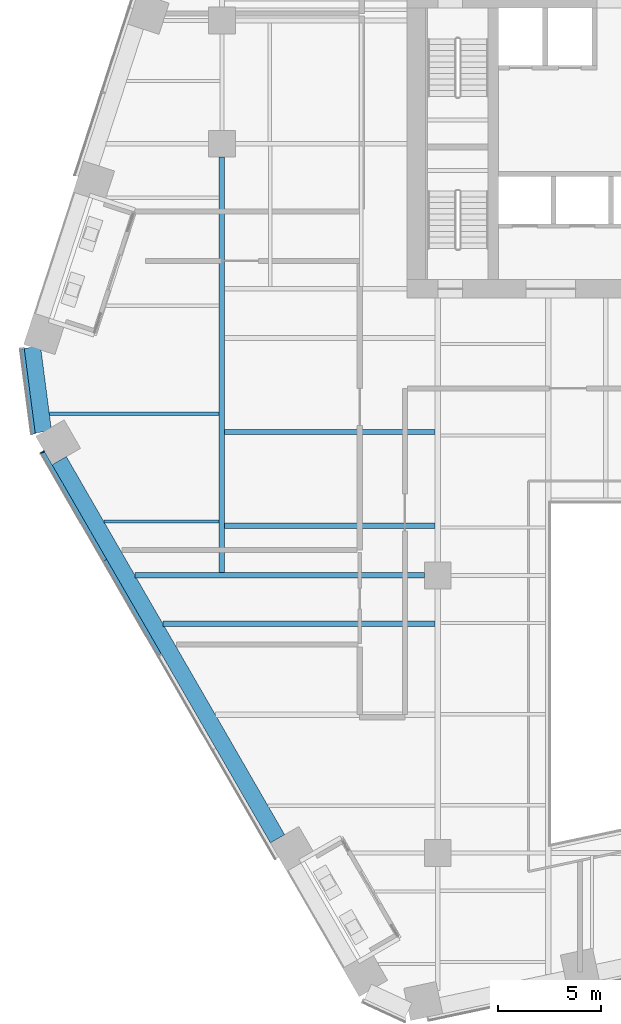
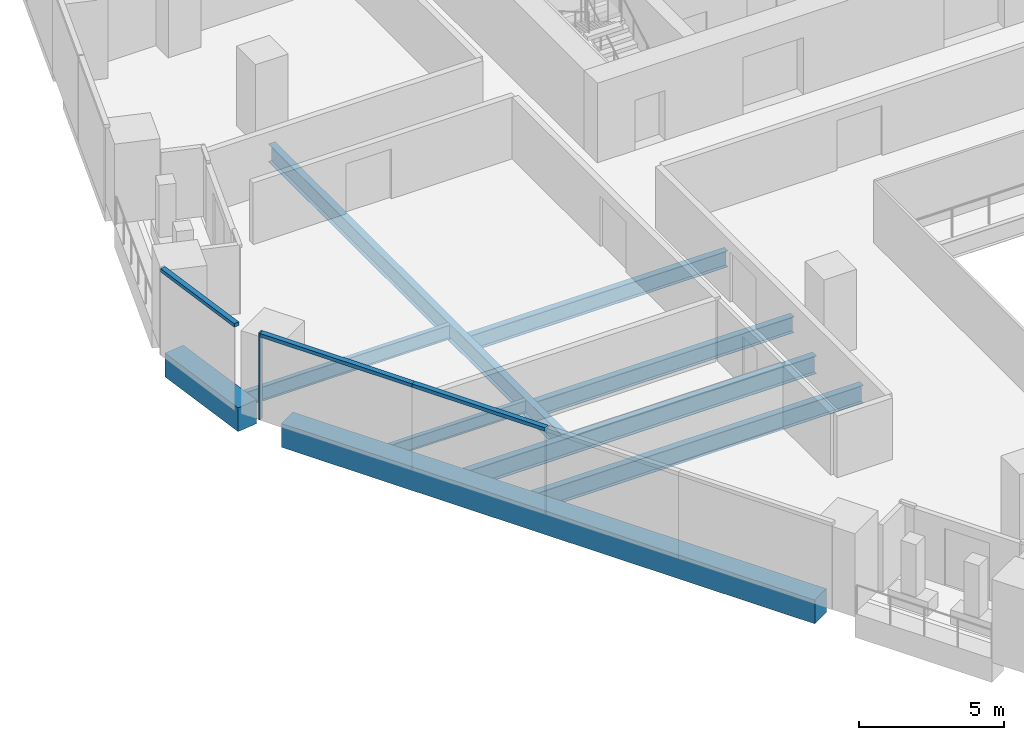
# One storey, part 4 of 31: 9 beams, 4 members, 2 elements without a shape of their own.
"""IFC4 building model written with IfcOpenShell, lengths in metres."""

from ifc_helpers import new_model, si_unit, direction, frame, origin, origin_2d, place, context, subcontext, project, spatial, rectangle, i_section, extrude, material, layer, layer_set, material_profile, profile_set, type_object, element, aggregate, save


model = new_model("IFC4")

# Units and contexts
model_context = context("Model", 3, precision=1e-05, world=origin(), true_north=direction((0.0, 1.0)))
body_context = subcontext(model_context, "Body", "Model", "MODEL_VIEW")
ifc_project = project(units=[si_unit("LENGTHUNIT", "METRE"), si_unit("AREAUNIT", "SQUARE_METRE"), si_unit("VOLUMEUNIT", "CUBIC_METRE"), si_unit("PLANEANGLEUNIT", "RADIAN"), si_unit("MASSUNIT", "GRAM", prefix="KILO")], contexts=[model_context])

# Site, building, storey
site_placement = place(None, origin())
site = spatial("IfcSite", under=ifc_project, at=site_placement, CompositionType="ELEMENT")
building_placement = place(site_placement, origin())
building = spatial("IfcBuilding", under=site, at=building_placement, Name="Isthmus Gate Tower", CompositionType="ELEMENT")
storey_placement = place(building_placement, frame((0.0, 0.0, 113.5)))
storey = spatial("IfcBuildingStorey", under=building, at=storey_placement, Name="L27", CompositionType="ELEMENT", Elevation=113.5)

# Curtain wall, member
ifc_material_1 = material(Name="Aluminium, pale champagne anodised", Category="aluminium")
ifc_layer = layer(ifc_material_1, 0.199951171875)
ifc_layer_set = layer_set([ifc_layer], Name="CW-1 UNITISED CURTAIN WALL 200 DEEP")
curtain_wall_type = type_object("IfcCurtainWallType", Name="CW-1 UNITISED CURTAIN WALL 200 DEEP", PredefinedType="NOTDEFINED", material=ifc_layer_set)
curtain_wall_1_placement = place(storey_placement, origin())
curtain_wall_1 = element("IfcCurtainWall", 1, at=curtain_wall_1_placement, inside=storey, type_object=curtain_wall_type, Name="CW-1 SW L27", PredefinedType="NOTDEFINED")
ifc_material_2 = material(Name="Aluminium, pale champagne anodised", Category="aluminium")
ifc_material_profile_1 = material_profile(ifc_material_2, rectangle(XDim=0.06005859375, YDim=0.199951171875, at=origin_2d()), Name="60x200")
ifc_profile_set_1 = profile_set([ifc_material_profile_1], Name="Aluminium, pale champagne anodised")
member_type_1 = type_object("IfcMemberType", Name="CW-1 MULLION 60 X 200", PredefinedType="MULLION", material=ifc_profile_set_1)
member_1_placement = place(storey_placement, frame((-32.7353515625, -7.500732421875, 0.0), z_axis=(0.0, 0.0, 1.0), x_axis=(0.5, -0.866025403784, 0.0)))
member_1 = element("IfcMember", 2, at=member_1_placement, type_object=member_type_1, Name="CW-1 mullion", PredefinedType="MULLION", context=body_context, shape_type="SweptSolid", body=[
    extrude(rectangle(XDim=0.06005859375, YDim=0.199951171875, at=origin_2d()), origin(), (0.0, 0.0, 1.0), 3.64990234375),
])

curtain_wall_2_placement = place(storey_placement, origin())
curtain_wall_2 = element("IfcCurtainWall", 3, at=curtain_wall_2_placement, inside=storey, type_object=curtain_wall_type, Name="CW-1 NW-SW L27", PredefinedType="NOTDEFINED")
ifc_material_3 = material(Name="Aluminium, pale champagne anodised", Category="aluminium")
ifc_material_profile_2 = material_profile(ifc_material_3, rectangle(XDim=0.199951171875, YDim=0.14990234375, at=origin_2d()), Name="200x150")
ifc_profile_set_2 = profile_set([ifc_material_profile_2], Name="Aluminium, pale champagne anodised")
member_type_2 = type_object("IfcMemberType", Name="CW-1 TRANSOM 200 X 150", PredefinedType="USERDEFINED", material=ifc_profile_set_2)
member_2_placement = place(storey_placement, frame((-33.71923828125, -2.474609375, 3.574951171875), z_axis=(0.129206893318, -0.991617657527, 0.0), x_axis=(0.991617657527, 0.129206893318, 0.0)))
member_2 = element("IfcMember", 4, at=member_2_placement, type_object=member_type_2, Name="CW-1 transom", ObjectType="TRANSOM", PredefinedType="USERDEFINED", context=body_context, shape_type="SweptSolid", body=[
    extrude(rectangle(XDim=0.199951171875, YDim=0.14990234375, at=origin_2d()), origin(), (0.0, 0.0, 1.0), 4.181640625),
])
aggregate(curtain_wall_2, [member_2])

# Member
member_3_placement = place(storey_placement, frame((-32.720458984375, -7.526611328125, 3.574951171875), z_axis=(0.500011280007, -0.866018891171, 0.0), x_axis=(0.866018891171, 0.500011280007, 0.0)))
member_3 = element("IfcMember", 5, at=member_3_placement, type_object=member_type_2, Name="CW-1 transom", ObjectType="TRANSOM", PredefinedType="USERDEFINED", context=body_context, shape_type="SweptSolid", body=[
    extrude(rectangle(XDim=0.199951171875, YDim=0.14990234375, at=origin_2d()), origin(), (0.0, 0.0, 1.0), 6.048583984375),
])

member_4_placement = place(storey_placement, frame((-29.696044921875, -12.764892578125, 3.574951171875), z_axis=(0.499997139945, -0.866027055032, 0.0), x_axis=(0.866027055032, 0.499997139945, 0.0)))
member_4 = element("IfcMember", 6, at=member_4_placement, type_object=member_type_2, Name="CW-1 transom", ObjectType="TRANSOM", PredefinedType="USERDEFINED", context=body_context, shape_type="SweptSolid", body=[
    extrude(rectangle(XDim=0.199951171875, YDim=0.14990234375, at=origin_2d()), origin(), (0.0, 0.0, 1.0), 5.30859375),
])

aggregate(curtain_wall_1, [member_1, member_3, member_4])

# Beams
ifc_material_4 = material(Name="Concrete f'c 70 MPa", Category="concrete")
ifc_material_profile_3 = material_profile(ifc_material_4, rectangle(XDim=0.800048828125, YDim=1.0, at=origin_2d()), Name="RC 800X1000")
ifc_profile_set_3 = profile_set([ifc_material_profile_3], Name="Concrete f'c 70 MPa")
beam_type_1 = type_object("IfcBeamType", Name="RC SPANDREL 800 X 1000", PredefinedType="SPANDREL", material=ifc_profile_set_3)
beam_1_placement = place(storey_placement, frame((-21.300048828125, -26.30712890625, -0.5), z_axis=(-0.499997139945, 0.866027055032, 0.0), x_axis=(-0.866027055032, -0.499997139945, 0.0)))
element("IfcBeam", 7, at=beam_1_placement, inside=storey, type_object=beam_type_1, Name="str-spandrel-L27-16", PredefinedType="SPANDREL", context=body_context, shape_type="SweptSolid", body=[
    extrude(rectangle(XDim=0.800048828125, YDim=1.0, at=origin_2d()), origin(), (0.0, 0.0, 1.0), 21.234375),
])
beam_2_placement = place(storey_placement, frame((-32.6884765625, -6.515380859375, -0.5), z_axis=(-0.129170777359, 0.991622362735, 0.0), x_axis=(-0.991622362735, -0.129170777359, 0.0)))
element("IfcBeam", 8, at=beam_2_placement, inside=storey, type_object=beam_type_1, Name="str-spandrel-L27-17", PredefinedType="SPANDREL", context=body_context, shape_type="SweptSolid", body=[
    extrude(rectangle(XDim=0.800048828125, YDim=1.0, at=origin_2d()), origin(), (0.0, 0.0, 1.0), 4.15234375),
])
ifc_material_5 = material(Name="Structural steel ASTM A992 Gr 50", Category="steel")
ifc_material_profile_4 = material_profile(ifc_material_5, i_section(OverallWidth=0.1650390625, OverallDepth=0.52392578125, WebThickness=0.009521484375, FlangeThickness=0.010986328125, at=origin_2d()), Name="W21X44")
ifc_profile_set_4 = profile_set([ifc_material_profile_4], Name="Structural steel ASTM A992 Gr 50")
beam_type_2 = type_object("IfcBeamType", Name="STEEL FLOOR BEAM W21X44", PredefinedType="JOIST", material=ifc_profile_set_4)
beam_3_placement = place(storey_placement, frame((-29.748046875, -10.875, -0.411865234375), z_axis=(1.0, 0.0, 0.0), x_axis=(0.0, 1.0, 0.0)))
element("IfcBeam", 9, at=beam_3_placement, inside=storey, type_object=beam_type_2, Name="str-beam-L27-01-00", PredefinedType="JOIST", context=body_context, shape_type="SweptSolid", body=[
    extrude(i_section(OverallWidth=0.1650390625, OverallDepth=0.52392578125, WebThickness=0.009521484375, FlangeThickness=0.010986328125, at=origin_2d()), origin(), (0.0, 0.0, 1.0), 5.61474609375),
])
ifc_material_6 = material(Name="Structural steel ASTM A992 Gr 50", Category="steel")
ifc_material_profile_5 = material_profile(ifc_material_6, i_section(OverallWidth=0.177734375, OverallDepth=0.60009765625, WebThickness=0.009521484375, FlangeThickness=0.0126953125, at=origin_2d()), Name="W24X55")
ifc_profile_set_5 = profile_set([ifc_material_profile_5], Name="Structural steel ASTM A992 Gr 50")
beam_type_3 = type_object("IfcBeamType", Name="STEEL FLOOR BEAM W24X55", PredefinedType="JOIST", material=ifc_profile_set_5)
beam_4_placement = place(storey_placement, frame((-32.401123046875, -5.625, -0.449951171875), z_axis=(1.0, 0.0, 0.0), x_axis=(0.0, 1.0, 0.0)))
element("IfcBeam", 10, at=beam_4_placement, inside=storey, type_object=beam_type_3, Name="str-beam-L27-01-01", PredefinedType="JOIST", context=body_context, shape_type="SweptSolid", body=[
    extrude(i_section(OverallWidth=0.177734375, OverallDepth=0.60009765625, WebThickness=0.009521484375, FlangeThickness=0.0126953125, at=origin_2d()), origin(), (0.0, 0.0, 1.0), 8.267822265625),
])
ifc_material_7 = material(Name="Structural steel ASTM A992 Gr 50", Category="steel")
ifc_material_profile_6 = material_profile(ifc_material_7, i_section(OverallWidth=0.25390625, OverallDepth=0.679443359375, WebThickness=0.010986328125, FlangeThickness=0.015869140625, at=origin_2d()), Name="W27X84")
ifc_profile_set_6 = profile_set([ifc_material_profile_6], Name="Structural steel ASTM A992 Gr 50")
beam_type_4 = type_object("IfcBeamType", Name="STEEL FLOOR BEAM W27X84", PredefinedType="JOIST", material=ifc_profile_set_6)
for number, where, z_axis, x_axis, name in (
    (11, (-23.86669921875, -11.0830078125, -0.48974609375), (1.0, 0.0, 0.0), (0.0, 1.0, 0.0), "str-beam-L27-09-00"),
    (12, (-23.86669921875, -6.515380859375, -0.48974609375), (1.0, 0.0, 0.0), (0.0, 1.0, 0.0), "str-beam-L27-09-01"),
):
    element("IfcBeam", number, at=place(storey_placement, frame(where, z_axis=z_axis, x_axis=x_axis)), inside=storey, type_object=beam_type_4, Name=name, PredefinedType="JOIST", context=body_context, shape_type="SweptSolid", body=[
        extrude(i_section(OverallWidth=0.25390625, OverallDepth=0.679443359375, WebThickness=0.010986328125, FlangeThickness=0.015869140625, at=origin_2d()), origin(), (0.0, 0.0, 1.0), 10.23486328125),
    ])
ifc_material_8 = material(Name="Structural steel ASTM A992 Gr 50", Category="steel")
ifc_material_profile_7 = material_profile(ifc_material_8, i_section(OverallWidth=0.263427734375, OverallDepth=0.749267578125, WebThickness=0.0126953125, FlangeThickness=0.015869140625, at=origin_2d()), Name="W30X90")
ifc_profile_set_7 = profile_set([ifc_material_profile_7], Name="Structural steel ASTM A992 Gr 50")
beam_type_5 = type_object("IfcBeamType", Name="STEEL FLOOR BEAM W30X90", PredefinedType="JOIST", material=ifc_profile_set_7)
beam_5_placement = place(storey_placement, frame((-26.877685546875, -15.846435546875, -0.524658203125), z_axis=(1.0, 0.0, 0.0), x_axis=(0.0, 1.0, 0.0)))
element("IfcBeam", 13, at=beam_5_placement, inside=storey, type_object=beam_type_5, Name="str-beam-L27-07-02", PredefinedType="JOIST", context=body_context, shape_type="SweptSolid", body=[
    extrude(i_section(OverallWidth=0.263427734375, OverallDepth=0.749267578125, WebThickness=0.0126953125, FlangeThickness=0.015869140625, at=origin_2d()), origin(), (0.0, 0.0, 1.0), 13.245849609375),
])
ifc_material_9 = material(Name="Structural steel ASTM A992 Gr 50", Category="steel")
ifc_material_profile_8 = material_profile(ifc_material_9, i_section(OverallWidth=0.2666015625, OverallDepth=0.7587890625, WebThickness=0.014404296875, FlangeThickness=0.01904296875, at=origin_2d()), Name="W30X108")
ifc_profile_set_8 = profile_set([ifc_material_profile_8], Name="Structural steel ASTM A992 Gr 50")
beam_type_6 = type_object("IfcBeamType", Name="STEEL GIRDER W30X108", PredefinedType="BEAM", material=ifc_profile_set_8)
beam_6_placement = place(storey_placement, frame((-28.232421875, -13.5, -0.529296875), z_axis=(1.0, 0.0, 0.0), x_axis=(0.0, 1.0, 0.0)))
element("IfcBeam", 14, at=beam_6_placement, inside=storey, type_object=beam_type_6, Name="str-girder-L27-05", PredefinedType="BEAM", context=body_context, shape_type="SweptSolid", body=[
    extrude(i_section(OverallWidth=0.2666015625, OverallDepth=0.7587890625, WebThickness=0.014404296875, FlangeThickness=0.01904296875, at=origin_2d()), origin(), (0.0, 0.0, 1.0), 14.08251953125),
])
beam_7_placement = place(storey_placement, frame((-24.0, -13.36669921875, -0.529296875), z_axis=(0.0, 1.0, 0.0), x_axis=(-1.0, 0.0, 0.0)))
element("IfcBeam", 15, at=beam_7_placement, inside=storey, type_object=beam_type_6, Name="str-girder-L27-21", PredefinedType="BEAM", context=body_context, shape_type="SweptSolid", body=[
    extrude(i_section(OverallWidth=0.2666015625, OverallDepth=0.7587890625, WebThickness=0.014404296875, FlangeThickness=0.01904296875, at=origin_2d()), origin(), (0.0, 0.0, 1.0), 20.216796875),
])

save(model, "model.ifc")
